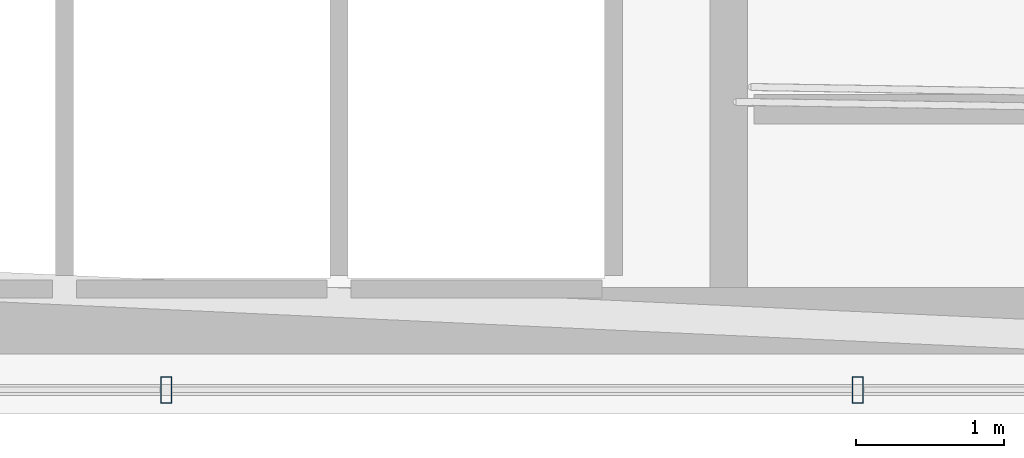
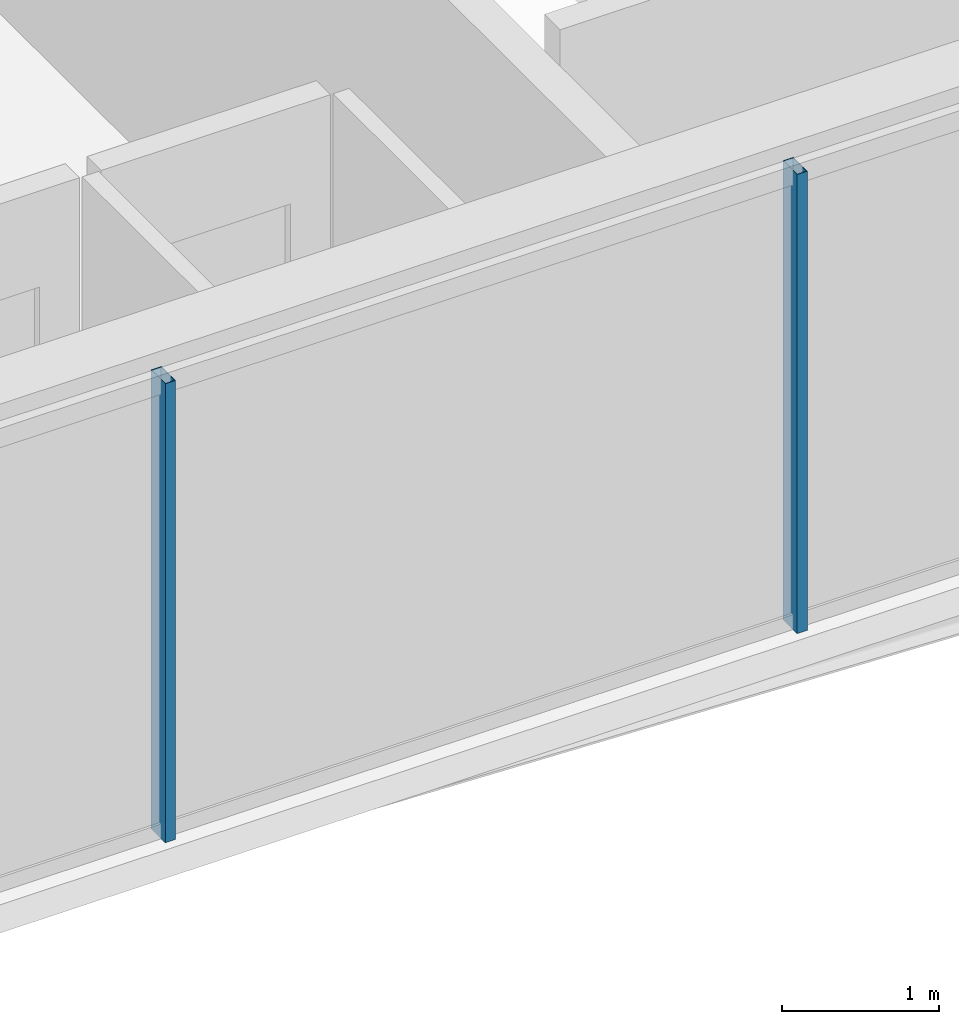
# One storey, part 7 of 33: 2 members, 1 element without a shape of its own.
"""IFC4 building model written with IfcOpenShell, lengths in metres."""

from ifc_helpers import new_model, si_unit, direction, frame, origin, origin_2d, place, context, subcontext, project, spatial, hollow_rectangle, extrude, material, layer, layer_set, material_profile, profile_set, type_object, element, aggregate, save


model = new_model("IFC4")

# Units and contexts
model_context = context("Model", 3, precision=1e-05, world=origin(), true_north=direction((0.0, 1.0)))
body_context = subcontext(model_context, "Body", "Model", "MODEL_VIEW")
ifc_project = project(units=[si_unit("LENGTHUNIT", "METRE"), si_unit("AREAUNIT", "SQUARE_METRE"), si_unit("VOLUMEUNIT", "CUBIC_METRE"), si_unit("PLANEANGLEUNIT", "RADIAN"), si_unit("MASSUNIT", "GRAM", prefix="KILO")], contexts=[model_context])

# Site, building, storey
site_placement = place(None, origin())
site = spatial("IfcSite", under=ifc_project, at=site_placement, CompositionType="ELEMENT")
building_placement = place(site_placement, origin())
building = spatial("IfcBuilding", under=site, at=building_placement, Name="Ndaravel Arena Tower", CompositionType="ELEMENT")
storey_placement = place(building_placement, frame((0.0, 0.0, 81.60009765625)))
storey = spatial("IfcBuildingStorey", under=building, at=storey_placement, Name="L18", CompositionType="ELEMENT", Elevation=81.60009765625)

# Curtain wall, members
ifc_material_1 = material(Name="Aluminium", Category="aluminium")
ifc_layer = layer(ifc_material_1, 0.179931640625)
ifc_layer_set = layer_set([ifc_layer], Name="Aluminium")
curtain_wall_type = type_object("IfcCurtainWallType", Name="CW-SYS-03", PredefinedType="NOTDEFINED", material=ifc_layer_set)
curtain_wall_placement = place(storey_placement, origin())
curtain_wall = element("IfcCurtainWall", 1, at=curtain_wall_placement, inside=storey, type_object=curtain_wall_type, Name="L18 Faceted Crystal Curtain Wall CW-L18-E01", PredefinedType="NOTDEFINED")
ifc_material_2 = material(Name="Aluminium", Category="aluminium")
ifc_material_profile = material_profile(ifc_material_2, hollow_rectangle(XDim=0.074951171875, YDim=0.179931640625, WallThickness=0.00390625, at=origin_2d()), Name="CW MULLION 75x180x4")
ifc_profile_set = profile_set([ifc_material_profile], Name="Aluminium")
member_type = type_object("IfcMemberType", Name="MEM-CW-MUL180", PredefinedType="MULLION", material=ifc_profile_set)
member_1_placement = place(storey_placement, frame((35.010498046875, 5.159912109375, 0.0), z_axis=(0.0, 0.0, 1.0), x_axis=(1.0, 0.0, 0.0)))
member_1 = element("IfcMember", 2, at=member_1_placement, type_object=member_type, Name="CW-L18-E01 Mullion 02", PredefinedType="MULLION", context=body_context, shape_type="SweptSolid", body=[
    extrude(hollow_rectangle(XDim=0.074951171875, YDim=0.179931640625, WallThickness=0.00390625, at=origin_2d()), origin(), (0.0, 0.0, 1.0), 3.579833984375),
])
member_2_placement = place(storey_placement, frame((39.670166015625, 5.159912109375, 0.0), z_axis=(0.0, 0.0, 1.0), x_axis=(1.0, 0.0, 0.0)))
member_2 = element("IfcMember", 3, at=member_2_placement, type_object=member_type, Name="CW-L18-E01 Mullion 03", PredefinedType="MULLION", context=body_context, shape_type="SweptSolid", body=[
    extrude(hollow_rectangle(XDim=0.074951171875, YDim=0.179931640625, WallThickness=0.00390625, at=origin_2d()), origin(), (0.0, 0.0, 1.0), 3.579833984375),
])
aggregate(curtain_wall, [member_1, member_2])

save(model, "model.ifc")
